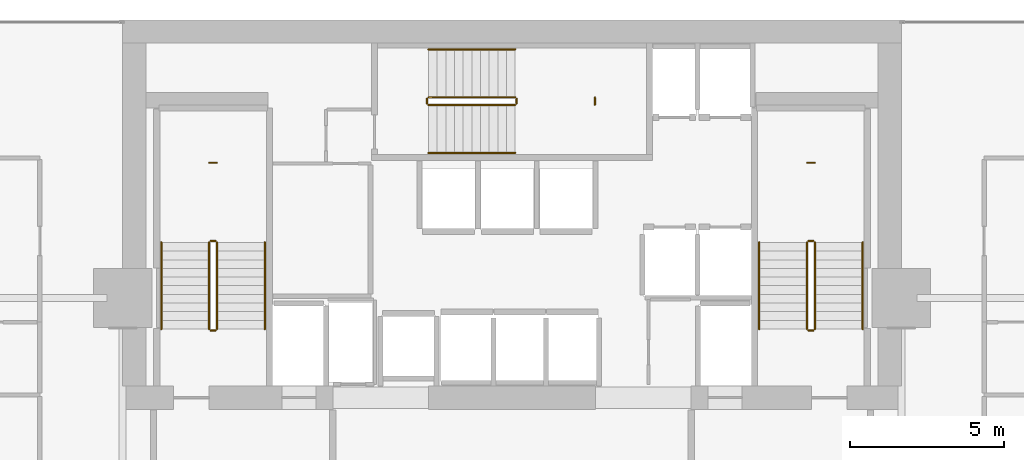
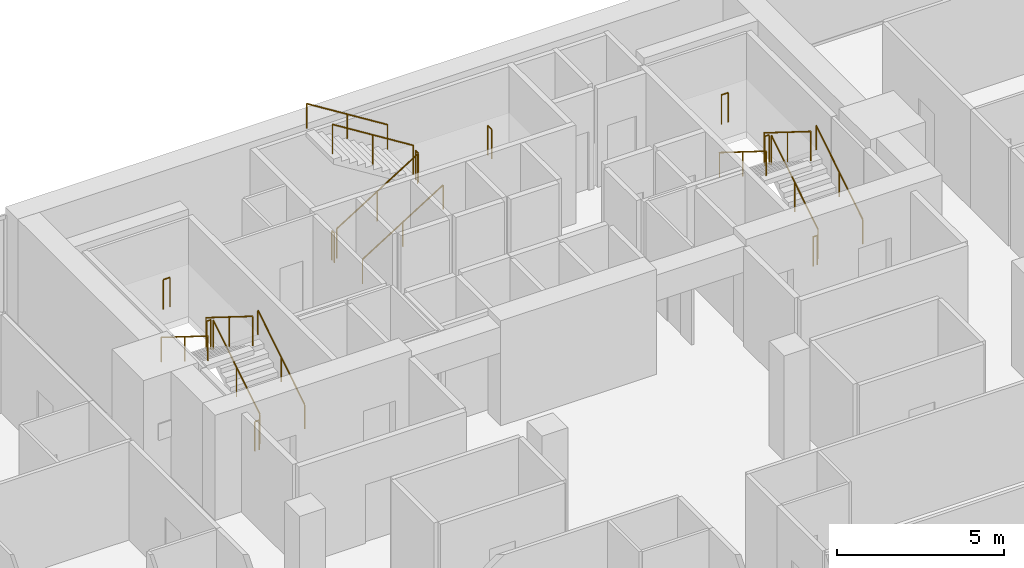
# One storey, part 33 of 33: 21 railings.
"""IFC4 building model written with IfcOpenShell, lengths in metres."""

from ifc_helpers import new_model, si_unit, direction, frame, origin, origin_2d, place, context, subcontext, project, spatial, circle, extrude, material, type_object, element, save


model = new_model("IFC4")

# Units and contexts
model_context = context("Model", 3, precision=1e-05, world=origin(), true_north=direction((0.0, 1.0)))
body_context = subcontext(model_context, "Body", "Model", "MODEL_VIEW")
ifc_project = project(units=[si_unit("LENGTHUNIT", "METRE"), si_unit("AREAUNIT", "SQUARE_METRE"), si_unit("VOLUMEUNIT", "CUBIC_METRE"), si_unit("PLANEANGLEUNIT", "RADIAN"), si_unit("MASSUNIT", "GRAM", prefix="KILO")], contexts=[model_context])

# Site, building, storey
site_placement = place(None, origin())
site = spatial("IfcSite", under=ifc_project, at=site_placement, CompositionType="ELEMENT")
building_placement = place(site_placement, origin())
building = spatial("IfcBuilding", under=site, at=building_placement, Name="Maruvema Waterfront Hotel and Observation Tower", CompositionType="ELEMENT")
storey_placement = place(building_placement, frame((0.0, 0.0, 142.800048828125)))
storey = spatial("IfcBuildingStorey", under=building, at=storey_placement, Name="L34", CompositionType="ELEMENT", Elevation=142.800048828125)

# Railings
ifc_material_1 = material(Name="Brushed stainless steel Grade 316", Category="steel")
railing_type_1 = type_object("IfcRailingType", Name="Ramp Continuous Wall Handrail 920 mm", PredefinedType="HANDRAIL", material=ifc_material_1)
railing_1_placement = place(storey_placement, frame((29.800048828125, 44.0, 0.175048828125)))
element("IfcRailing", 1, at=railing_1_placement, inside=storey, type_object=railing_type_1, Name="L34 ST-01 stair handrail 1", PredefinedType="HANDRAIL", context=body_context, shape_type="SweptSolid", body=[
    extrude(circle(Radius=0.02392578125, at=origin_2d()), frame((0.0, 0.0, 0.89599609375), z_axis=(0.0, 0.848002457836, 0.529992293815), x_axis=(-1.0, 0.0, 0.0)), (0.0, 0.0, 1.0), 3.302001953125),
    extrude(circle(Radius=0.02099609375, at=origin_2d()), origin(), (0.0, 0.0, 1.0), 0.871826171875),
    extrude(circle(Radius=0.02099609375, at=origin_2d()), frame((0.0, 1.39990234375, 0.875)), (0.0, 0.0, 1.0), 0.871826171875),
    extrude(circle(Radius=0.02099609375, at=origin_2d()), frame((0.0, 2.800048828125, 1.75)), (0.0, 0.0, 1.0), 0.871826171875),
])
railing_2_placement = place(storey_placement, frame((26.449951171875, 46.800048828125, 2.099853515625)))
element("IfcRailing", 2, at=railing_2_placement, inside=storey, type_object=railing_type_1, Name="L34 ST-01 stair handrail 2", PredefinedType="HANDRAIL", context=body_context, shape_type="SweptSolid", body=[
    extrude(circle(Radius=0.02392578125, at=origin_2d()), frame((0.0, 0.0, 0.89599609375), z_axis=(0.0, -0.848002457836, 0.529992293815), x_axis=(1.0, 0.0, 0.0)), (0.0, 0.0, 1.0), 3.302001953125),
    extrude(circle(Radius=0.02099609375, at=origin_2d()), origin(), (0.0, 0.0, 1.0), 0.871826171875),
    extrude(circle(Radius=0.02099609375, at=origin_2d()), frame((0.0, -1.39990234375, 0.875)), (0.0, 0.0, 1.0), 0.871826171875),
    extrude(circle(Radius=0.02099609375, at=origin_2d()), frame((0.0, -2.800048828125, 1.75)), (0.0, 0.0, 1.0), 0.871826171875),
])
railing_3_placement = place(storey_placement, frame((35.10009765625, 49.699951171875, 0.175048828125)))
element("IfcRailing", 3, at=railing_3_placement, inside=storey, type_object=railing_type_1, Name="L34 ST-02 stair handrail 1", PredefinedType="HANDRAIL", context=body_context, shape_type="SweptSolid", body=[
    extrude(circle(Radius=0.02392578125, at=origin_2d()), frame((0.0, 0.0, 0.89599609375), z_axis=(0.847981687118, 0.0, 0.530025526095), x_axis=(0.0, 1.0, 0.0)), (0.0, 0.0, 1.0), 3.3017578125),
    extrude(circle(Radius=0.02099609375, at=origin_2d()), origin(), (0.0, 0.0, 1.0), 0.871826171875),
    extrude(circle(Radius=0.02099609375, at=origin_2d()), frame((1.39990234375, 0.0, 0.875)), (0.0, 0.0, 1.0), 0.871826171875),
    extrude(circle(Radius=0.02099609375, at=origin_2d()), frame((2.7998046875, 0.0, 1.75)), (0.0, 0.0, 1.0), 0.871826171875),
])
railing_4_placement = place(storey_placement, frame((37.89990234375, 53.050048828125, 2.099853515625)))
element("IfcRailing", 4, at=railing_4_placement, inside=storey, type_object=railing_type_1, Name="L34 ST-02 stair handrail 2", PredefinedType="HANDRAIL", context=body_context, shape_type="SweptSolid", body=[
    extrude(circle(Radius=0.02392578125, at=origin_2d()), frame((0.0, 0.0, 0.89599609375), z_axis=(-0.847981687118, 0.0, 0.530025526095), x_axis=(0.0, -1.0, 0.0)), (0.0, 0.0, 1.0), 3.3017578125),
    extrude(circle(Radius=0.02099609375, at=origin_2d()), origin(), (0.0, 0.0, 1.0), 0.871826171875),
    extrude(circle(Radius=0.02099609375, at=origin_2d()), frame((-1.39990234375, 0.0, 0.875)), (0.0, 0.0, 1.0), 0.871826171875),
    extrude(circle(Radius=0.02099609375, at=origin_2d()), frame((-2.7998046875, 0.0, 1.75)), (0.0, 0.0, 1.0), 0.871826171875),
])
railing_5_placement = place(storey_placement, frame((49.14990234375, 44.0, 0.175048828125)))
element("IfcRailing", 5, at=railing_5_placement, inside=storey, type_object=railing_type_1, Name="L34 ST-03 stair handrail 1", PredefinedType="HANDRAIL", context=body_context, shape_type="SweptSolid", body=[
    extrude(circle(Radius=0.02392578125, at=origin_2d()), frame((0.0, 0.0, 0.89599609375), z_axis=(0.0, 0.848002457836, 0.529992293815), x_axis=(-1.0, 0.0, 0.0)), (0.0, 0.0, 1.0), 3.302001953125),
    extrude(circle(Radius=0.02099609375, at=origin_2d()), origin(), (0.0, 0.0, 1.0), 0.871826171875),
    extrude(circle(Radius=0.02099609375, at=origin_2d()), frame((0.0, 1.39990234375, 0.875)), (0.0, 0.0, 1.0), 0.871826171875),
    extrude(circle(Radius=0.02099609375, at=origin_2d()), frame((0.0, 2.800048828125, 1.75)), (0.0, 0.0, 1.0), 0.871826171875),
])
railing_6_placement = place(storey_placement, frame((45.800048828125, 46.800048828125, 2.099853515625)))
element("IfcRailing", 6, at=railing_6_placement, inside=storey, type_object=railing_type_1, Name="L34 ST-03 stair handrail 2", PredefinedType="HANDRAIL", context=body_context, shape_type="SweptSolid", body=[
    extrude(circle(Radius=0.02392578125, at=origin_2d()), frame((0.0, 0.0, 0.89599609375), z_axis=(0.0, -0.848002457836, 0.529992293815), x_axis=(1.0, 0.0, 0.0)), (0.0, 0.0, 1.0), 3.302001953125),
    extrude(circle(Radius=0.02099609375, at=origin_2d()), origin(), (0.0, 0.0, 1.0), 0.871826171875),
    extrude(circle(Radius=0.02099609375, at=origin_2d()), frame((0.0, -1.39990234375, 0.875)), (0.0, 0.0, 1.0), 0.871826171875),
    extrude(circle(Radius=0.02099609375, at=origin_2d()), frame((0.0, -2.800048828125, 1.75)), (0.0, 0.0, 1.0), 0.871826171875),
])
ifc_material_2 = material(Name="Brushed stainless steel Grade 316", Category="steel")
railing_type_2 = type_object("IfcRailingType", Name="Ramp and Terrace Guard Balustrade 1100 mm", PredefinedType="BALUSTRADE", material=ifc_material_2)
railing_7_placement = place(storey_placement, frame((28.25, 44.0, 0.175048828125)))
element("IfcRailing", 7, at=railing_7_placement, inside=storey, type_object=railing_type_2, Name="L34 ST-01 stair guard 1", PredefinedType="BALUSTRADE", context=body_context, shape_type="SweptSolid", body=[
    extrude(circle(Radius=0.02392578125, at=origin_2d()), frame((0.0, 0.0, 1.076171875), z_axis=(0.0, 0.848002457836, 0.529992293815), x_axis=(-1.0, 0.0, 0.0)), (0.0, 0.0, 1.0), 3.302001953125),
    extrude(circle(Radius=0.02099609375, at=origin_2d()), origin(), (0.0, 0.0, 1.0), 1.052001953125),
    extrude(circle(Radius=0.02099609375, at=origin_2d()), frame((0.0, 1.39990234375, 0.875)), (0.0, 0.0, 1.0), 1.052001953125),
    extrude(circle(Radius=0.02099609375, at=origin_2d()), frame((0.0, 2.800048828125, 1.75)), (0.0, 0.0, 1.0), 1.052001953125),
])
railing_8_placement = place(storey_placement, frame((28.199951171875, 46.85009765625, 1.925048828125)))
element("IfcRailing", 8, at=railing_8_placement, inside=storey, type_object=railing_type_2, Name="L34 ST-01 stair guard 2", PredefinedType="BALUSTRADE", context=body_context, shape_type="SweptSolid", body=[
    extrude(circle(Radius=0.02392578125, at=origin_2d()), frame((0.0, 0.0, 1.076171875), z_axis=(-1.0, 0.0, 0.0), x_axis=(0.0, -1.0, 0.0)), (0.0, 0.0, 1.0), 0.14990234375),
    extrude(circle(Radius=0.02099609375, at=origin_2d()), origin(), (0.0, 0.0, 1.0), 1.052001953125),
    extrude(circle(Radius=0.02099609375, at=origin_2d()), frame((-0.14990234375, 0.0, 0.0)), (0.0, 0.0, 1.0), 1.052001953125),
])
railing_9_placement = place(storey_placement, frame((28.0, 46.800048828125, 2.099853515625)))
element("IfcRailing", 9, at=railing_9_placement, inside=storey, type_object=railing_type_2, Name="L34 ST-01 stair guard 3", PredefinedType="BALUSTRADE", context=body_context, shape_type="SweptSolid", body=[
    extrude(circle(Radius=0.02392578125, at=origin_2d()), frame((0.0, 0.0, 1.076171875), z_axis=(0.0, -0.848002457836, 0.529992293815), x_axis=(1.0, 0.0, 0.0)), (0.0, 0.0, 1.0), 3.302001953125),
    extrude(circle(Radius=0.02099609375, at=origin_2d()), origin(), (0.0, 0.0, 1.0), 1.052001953125),
    extrude(circle(Radius=0.02099609375, at=origin_2d()), frame((0.0, -1.39990234375, 0.875)), (0.0, 0.0, 1.0), 1.052001953125),
    extrude(circle(Radius=0.02099609375, at=origin_2d()), frame((0.0, -2.800048828125, 1.75)), (0.0, 0.0, 1.0), 1.052001953125),
])
railing_10_placement = place(storey_placement, frame((28.199951171875, 43.949951171875, 0.0)))
element("IfcRailing", 10, at=railing_10_placement, inside=storey, type_object=railing_type_2, Name="L34 ST-01 stair guard 4", PredefinedType="BALUSTRADE", context=body_context, shape_type="SweptSolid", body=[
    extrude(circle(Radius=0.02392578125, at=origin_2d()), frame((0.0, 0.0, 1.076171875), z_axis=(-1.0, 0.0, 0.0), x_axis=(0.0, -1.0, 0.0)), (0.0, 0.0, 1.0), 0.14990234375),
    extrude(circle(Radius=0.02099609375, at=origin_2d()), origin(), (0.0, 0.0, 1.0), 1.052001953125),
    extrude(circle(Radius=0.02099609375, at=origin_2d()), frame((-0.14990234375, 0.0, 0.0)), (0.0, 0.0, 1.0), 1.052001953125),
])
railing_11_placement = place(storey_placement, frame((28.239990234375, 49.3798828125, 1.925048828125)))
element("IfcRailing", 11, at=railing_11_placement, inside=storey, type_object=railing_type_2, Name="L34 ST-01 Half-Landing Slot Guard", PredefinedType="BALUSTRADE", context=body_context, shape_type="SweptSolid", body=[
    extrude(circle(Radius=0.02392578125, at=origin_2d()), frame((0.0, 0.0, 1.076171875), z_axis=(-1.0, 0.0, 0.0), x_axis=(0.0, -1.0, 0.0)), (0.0, 0.0, 1.0), 0.22998046875),
    extrude(circle(Radius=0.02099609375, at=origin_2d()), origin(), (0.0, 0.0, 1.0), 1.052001953125),
    extrude(circle(Radius=0.02099609375, at=origin_2d()), frame((-0.22998046875, 0.0, 0.0)), (0.0, 0.0, 1.0), 1.052001953125),
])
railing_12_placement = place(storey_placement, frame((35.10009765625, 51.25, 0.175048828125)))
element("IfcRailing", 12, at=railing_12_placement, inside=storey, type_object=railing_type_2, Name="L34 ST-02 stair guard 1", PredefinedType="BALUSTRADE", context=body_context, shape_type="SweptSolid", body=[
    extrude(circle(Radius=0.02392578125, at=origin_2d()), frame((0.0, 0.0, 1.076171875), z_axis=(0.847981687118, 0.0, 0.530025526095), x_axis=(0.0, 1.0, 0.0)), (0.0, 0.0, 1.0), 3.3017578125),
    extrude(circle(Radius=0.02099609375, at=origin_2d()), origin(), (0.0, 0.0, 1.0), 1.052001953125),
    extrude(circle(Radius=0.02099609375, at=origin_2d()), frame((1.39990234375, 0.0, 0.875)), (0.0, 0.0, 1.0), 1.052001953125),
    extrude(circle(Radius=0.02099609375, at=origin_2d()), frame((2.7998046875, 0.0, 1.75)), (0.0, 0.0, 1.0), 1.052001953125),
])
railing_13_placement = place(storey_placement, frame((37.949951171875, 51.300048828125, 1.925048828125)))
element("IfcRailing", 13, at=railing_13_placement, inside=storey, type_object=railing_type_2, Name="L34 ST-02 stair guard 2", PredefinedType="BALUSTRADE", context=body_context, shape_type="SweptSolid", body=[
    extrude(circle(Radius=0.02392578125, at=origin_2d()), frame((0.0, 0.0, 1.076171875), z_axis=(0.0, 1.0, 0.0), x_axis=(-1.0, 0.0, 0.0)), (0.0, 0.0, 1.0), 0.14990234375),
    extrude(circle(Radius=0.02099609375, at=origin_2d()), origin(), (0.0, 0.0, 1.0), 1.052001953125),
    extrude(circle(Radius=0.02099609375, at=origin_2d()), frame((0.0, 0.14990234375, 0.0)), (0.0, 0.0, 1.0), 1.052001953125),
])
railing_14_placement = place(storey_placement, frame((37.89990234375, 51.5, 2.099853515625)))
element("IfcRailing", 14, at=railing_14_placement, inside=storey, type_object=railing_type_2, Name="L34 ST-02 stair guard 3", PredefinedType="BALUSTRADE", context=body_context, shape_type="SweptSolid", body=[
    extrude(circle(Radius=0.02392578125, at=origin_2d()), frame((0.0, 0.0, 1.076171875), z_axis=(-0.847981687118, 0.0, 0.530025526095), x_axis=(0.0, -1.0, 0.0)), (0.0, 0.0, 1.0), 3.3017578125),
    extrude(circle(Radius=0.02099609375, at=origin_2d()), origin(), (0.0, 0.0, 1.0), 1.052001953125),
    extrude(circle(Radius=0.02099609375, at=origin_2d()), frame((-1.39990234375, 0.0, 0.875)), (0.0, 0.0, 1.0), 1.052001953125),
    extrude(circle(Radius=0.02099609375, at=origin_2d()), frame((-2.7998046875, 0.0, 1.75)), (0.0, 0.0, 1.0), 1.052001953125),
])
railing_15_placement = place(storey_placement, frame((35.050048828125, 51.300048828125, 0.0)))
element("IfcRailing", 15, at=railing_15_placement, inside=storey, type_object=railing_type_2, Name="L34 ST-02 stair guard 4", PredefinedType="BALUSTRADE", context=body_context, shape_type="SweptSolid", body=[
    extrude(circle(Radius=0.02392578125, at=origin_2d()), frame((0.0, 0.0, 1.076171875), z_axis=(0.0, 1.0, 0.0), x_axis=(-1.0, 0.0, 0.0)), (0.0, 0.0, 1.0), 0.14990234375),
    extrude(circle(Radius=0.02099609375, at=origin_2d()), origin(), (0.0, 0.0, 1.0), 1.052001953125),
    extrude(circle(Radius=0.02099609375, at=origin_2d()), frame((0.0, 0.14990234375, 0.0)), (0.0, 0.0, 1.0), 1.052001953125),
])
railing_16_placement = place(storey_placement, frame((40.47998046875, 51.260009765625, 1.925048828125)))
element("IfcRailing", 16, at=railing_16_placement, inside=storey, type_object=railing_type_2, Name="L34 ST-02 Half-Landing Slot Guard", PredefinedType="BALUSTRADE", context=body_context, shape_type="SweptSolid", body=[
    extrude(circle(Radius=0.02392578125, at=origin_2d()), frame((0.0, 0.0, 1.076171875), z_axis=(0.0, 1.0, 0.0), x_axis=(-1.0, 0.0, 0.0)), (0.0, 0.0, 1.0), 0.22998046875),
    extrude(circle(Radius=0.02099609375, at=origin_2d()), origin(), (0.0, 0.0, 1.0), 1.052001953125),
    extrude(circle(Radius=0.02099609375, at=origin_2d()), frame((0.0, 0.22998046875, 0.0)), (0.0, 0.0, 1.0), 1.052001953125),
])
railing_17_placement = place(storey_placement, frame((47.60009765625, 44.0, 0.175048828125)))
element("IfcRailing", 17, at=railing_17_placement, inside=storey, type_object=railing_type_2, Name="L34 ST-03 stair guard 1", PredefinedType="BALUSTRADE", context=body_context, shape_type="SweptSolid", body=[
    extrude(circle(Radius=0.02392578125, at=origin_2d()), frame((0.0, 0.0, 1.076171875), z_axis=(0.0, 0.848002457836, 0.529992293815), x_axis=(-1.0, 0.0, 0.0)), (0.0, 0.0, 1.0), 3.302001953125),
    extrude(circle(Radius=0.02099609375, at=origin_2d()), origin(), (0.0, 0.0, 1.0), 1.052001953125),
    extrude(circle(Radius=0.02099609375, at=origin_2d()), frame((0.0, 1.39990234375, 0.875)), (0.0, 0.0, 1.0), 1.052001953125),
    extrude(circle(Radius=0.02099609375, at=origin_2d()), frame((0.0, 2.800048828125, 1.75)), (0.0, 0.0, 1.0), 1.052001953125),
])
railing_18_placement = place(storey_placement, frame((47.550048828125, 46.85009765625, 1.925048828125)))
element("IfcRailing", 18, at=railing_18_placement, inside=storey, type_object=railing_type_2, Name="L34 ST-03 stair guard 2", PredefinedType="BALUSTRADE", context=body_context, shape_type="SweptSolid", body=[
    extrude(circle(Radius=0.02392578125, at=origin_2d()), frame((0.0, 0.0, 1.076171875), z_axis=(-1.0, 0.0, 0.0), x_axis=(0.0, -1.0, 0.0)), (0.0, 0.0, 1.0), 0.150146484375),
    extrude(circle(Radius=0.02099609375, at=origin_2d()), origin(), (0.0, 0.0, 1.0), 1.052001953125),
    extrude(circle(Radius=0.02099609375, at=origin_2d()), frame((-0.150146484375, 0.0, 0.0)), (0.0, 0.0, 1.0), 1.052001953125),
])
railing_19_placement = place(storey_placement, frame((47.35009765625, 46.800048828125, 2.099853515625)))
element("IfcRailing", 19, at=railing_19_placement, inside=storey, type_object=railing_type_2, Name="L34 ST-03 stair guard 3", PredefinedType="BALUSTRADE", context=body_context, shape_type="SweptSolid", body=[
    extrude(circle(Radius=0.02392578125, at=origin_2d()), frame((0.0, 0.0, 1.076171875), z_axis=(0.0, -0.848002457836, 0.529992293815), x_axis=(1.0, 0.0, 0.0)), (0.0, 0.0, 1.0), 3.302001953125),
    extrude(circle(Radius=0.02099609375, at=origin_2d()), origin(), (0.0, 0.0, 1.0), 1.052001953125),
    extrude(circle(Radius=0.02099609375, at=origin_2d()), frame((0.0, -1.39990234375, 0.875)), (0.0, 0.0, 1.0), 1.052001953125),
    extrude(circle(Radius=0.02099609375, at=origin_2d()), frame((0.0, -2.800048828125, 1.75)), (0.0, 0.0, 1.0), 1.052001953125),
])
railing_20_placement = place(storey_placement, frame((47.550048828125, 43.949951171875, 0.0)))
element("IfcRailing", 20, at=railing_20_placement, inside=storey, type_object=railing_type_2, Name="L34 ST-03 stair guard 4", PredefinedType="BALUSTRADE", context=body_context, shape_type="SweptSolid", body=[
    extrude(circle(Radius=0.02392578125, at=origin_2d()), frame((0.0, 0.0, 1.076171875), z_axis=(-1.0, 0.0, 0.0), x_axis=(0.0, -1.0, 0.0)), (0.0, 0.0, 1.0), 0.150146484375),
    extrude(circle(Radius=0.02099609375, at=origin_2d()), origin(), (0.0, 0.0, 1.0), 1.052001953125),
    extrude(circle(Radius=0.02099609375, at=origin_2d()), frame((-0.150146484375, 0.0, 0.0)), (0.0, 0.0, 1.0), 1.052001953125),
])
railing_21_placement = place(storey_placement, frame((47.590087890625, 49.3798828125, 1.925048828125)))
element("IfcRailing", 21, at=railing_21_placement, inside=storey, type_object=railing_type_2, Name="L34 ST-03 Half-Landing Slot Guard", PredefinedType="BALUSTRADE", context=body_context, shape_type="SweptSolid", body=[
    extrude(circle(Radius=0.02392578125, at=origin_2d()), frame((0.0, 0.0, 1.076171875), z_axis=(-1.0, 0.0, 0.0), x_axis=(0.0, -1.0, 0.0)), (0.0, 0.0, 1.0), 0.22998046875),
    extrude(circle(Radius=0.02099609375, at=origin_2d()), origin(), (0.0, 0.0, 1.0), 1.052001953125),
    extrude(circle(Radius=0.02099609375, at=origin_2d()), frame((-0.22998046875, 0.0, 0.0)), (0.0, 0.0, 1.0), 1.052001953125),
])

save(model, "model.ifc")
